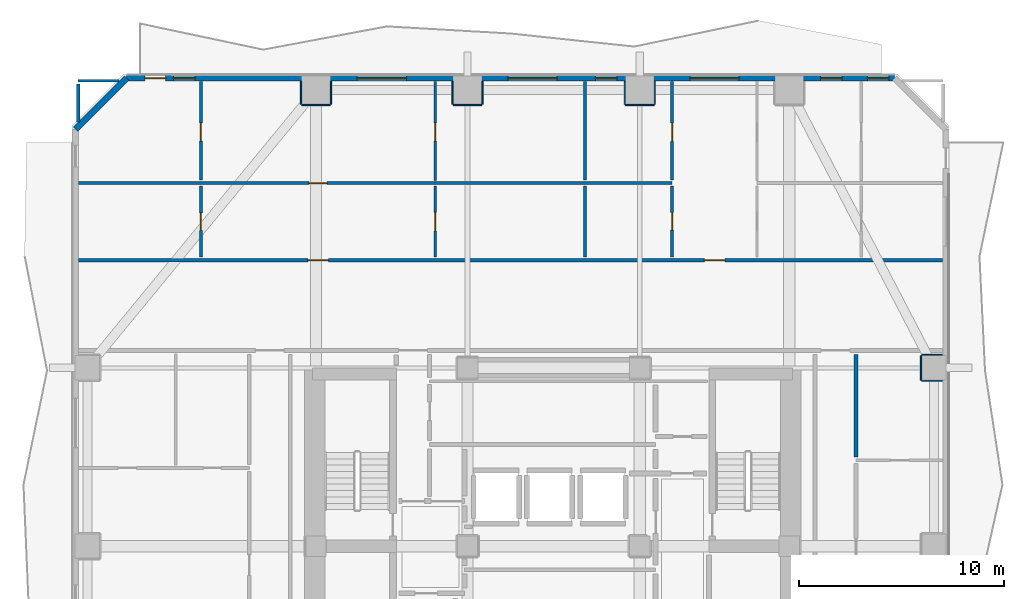
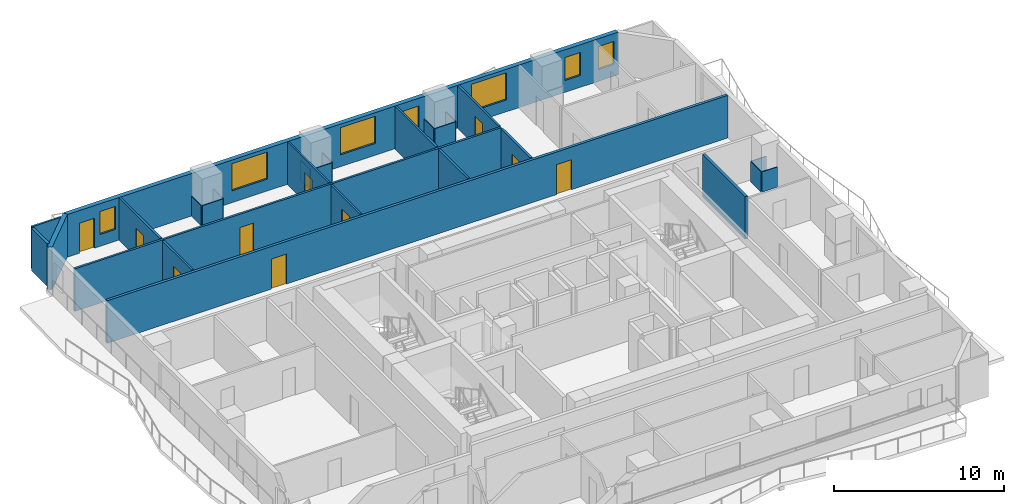
# One storey, part 6 of 12: 27 walls, 10 doors, 7 windows, 17 openings.
"""IFC4 building model written with IfcOpenShell, lengths in metres."""

import ifcopenshell
import ifcopenshell.guid

model = None  # the IFC model being written
_history = None  # IfcOwnerHistory: only IFC2X3 demands one
_inside = {}  # id of a spatial element -> (the spatial element, [elements in it])
_under = {}  # id of a project, library or spatial element -> (it, [spatial elements below it])
_declared = {}  # id of a project -> (the project, [libraries it declares])
_typed = {}  # id of a type object -> (the type object, [elements of that type])
_made_of = {}  # id of a material, layer set ... -> (it, [elements and type objects made of it])


def new_model(schema):
    """Start an empty IFC model of exactly this schema.

    Asked for "IFC4X3", IfcOpenShell would pick the latest addendum, in which some entities
    have other attributes; the version numbers below select the first issue.
    IFC2X3 requires an IfcOwnerHistory on every rooted entity: one is made here for all.
    """
    global model, _history
    if schema == "IFC4X3":
        model = ifcopenshell.file(schema_version=(4, 3, 0, 0))
    else:
        model = ifcopenshell.file(schema=schema)
    _inside.clear()
    _under.clear()
    _declared.clear()
    _typed.clear()
    _made_of.clear()
    _history = None
    if model.schema == "IFC2X3":
        org = make("IfcOrganization", Name="unknown")
        user = make(
            "IfcPersonAndOrganization",
            ThePerson=make("IfcPerson", FamilyName="unknown"),
            TheOrganization=org,
        )
        app = make(
            "IfcApplication",
            ApplicationDeveloper=org,
            Version="unknown",
            ApplicationFullName="unknown",
            ApplicationIdentifier="unknown",
        )
        _history = make(
            "IfcOwnerHistory",
            OwningUser=user,
            OwningApplication=app,
            ChangeAction="ADDED",
            CreationDate=0,
        )
    return model


def make(cls, **values):
    """One entity of the class cls with the attributes given. An attribute that is None is left unset."""
    return model.create_entity(
        cls, **{name: value for name, value in values.items() if value is not None}
    )


def rooted(cls, **values):
    """An entity with a GlobalId (a new one), such as an element, a storey or a relation."""
    return make(cls, GlobalId=ifcopenshell.guid.new(), OwnerHistory=_history, **values)


def si_unit(unit_type, name, prefix=None):
    """IfcSIUnit, for example si_unit("LENGTHUNIT", "METRE", prefix="MILLI")."""
    return make("IfcSIUnit", UnitType=unit_type, Prefix=prefix, Name=name)


def assignment(units):
    """IfcUnitAssignment: the units of a project."""
    return None if units is None else make("IfcUnitAssignment", Units=units)


def point(xyz):
    """IfcCartesianPoint."""
    return None if xyz is None else make("IfcCartesianPoint", Coordinates=xyz)


def direction(xyz):
    """IfcDirection."""
    return None if xyz is None else make("IfcDirection", DirectionRatios=xyz)


def frame(location, z_axis=None, x_axis=None):
    """IfcAxis2Placement3D, a coordinate frame: its origin and axes. An axis left out is left unset."""
    return make(
        "IfcAxis2Placement3D",
        Location=point(location),
        Axis=direction(z_axis),
        RefDirection=direction(x_axis),
    )


def frame_2d(location, x_axis=None):
    """IfcAxis2Placement2D, a coordinate frame in the plane: its origin and x axis."""
    return make(
        "IfcAxis2Placement2D", Location=point(location), RefDirection=direction(x_axis)
    )


def origin():
    """The frame at (0, 0, 0) with its axes left unset."""
    return frame((0.0, 0.0, 0.0))


def place(relative_to, where):
    """IfcLocalPlacement: puts the frame where relative to a parent placement (None: the world)."""
    return make(
        "IfcLocalPlacement", PlacementRelTo=relative_to, RelativePlacement=where
    )


def context(
    kind, dimensions, precision=None, world=None, true_north=None, identifier=None
):
    """IfcGeometricRepresentationContext, for example the 3D "Model" context."""
    return make(
        "IfcGeometricRepresentationContext",
        ContextIdentifier=identifier,
        ContextType=kind,
        CoordinateSpaceDimension=dimensions,
        Precision=precision,
        WorldCoordinateSystem=world,
        TrueNorth=true_north,
    )


def subcontext(parent, identifier, kind, view, scale=None):
    """IfcGeometricRepresentationSubContext, for example "Body" below "Model"."""
    return make(
        "IfcGeometricRepresentationSubContext",
        ContextIdentifier=identifier,
        ContextType=kind,
        ParentContext=parent,
        TargetScale=scale,
        TargetView=view,
    )


def project(units=None, contexts=None):
    """IfcProject with its units and contexts."""
    return rooted(
        "IfcProject",
        Name="project",
        RepresentationContexts=contexts,
        UnitsInContext=assignment(units),
    )


def spatial(cls, under=None, at=None, **own):
    """A site, building, storey or space (cls), placed at a placement, below another one or the project."""
    s = rooted(cls, ObjectPlacement=at, **own)
    if under is not None:
        _under.setdefault(under.id(), (under, []))[1].append(s)
    return s


def profile(cls, at=None, kind="AREA", **sizes):
    """A parametric profile (cls). Its sizes go by their IFC names, for example OverallWidth=200.0."""
    return make(cls, ProfileType=kind, Position=at, **sizes)


def rectangle(**sizes):
    """IfcRectangleProfileDef."""
    return profile("IfcRectangleProfileDef", **sizes)


def extrude(swept, where, along, depth):
    """IfcExtrudedAreaSolid: the profile swept, set in the frame where, extruded along a direction by depth."""
    return make(
        "IfcExtrudedAreaSolid",
        SweptArea=swept,
        Position=where,
        ExtrudedDirection=direction(along),
        Depth=depth,
    )


def shape(context_of_items, identifier, shape_type, items):
    """IfcShapeRepresentation: the items that make up one representation, for example the "Body"."""
    return make(
        "IfcShapeRepresentation",
        ContextOfItems=context_of_items,
        RepresentationIdentifier=identifier,
        RepresentationType=shape_type,
        Items=items,
    )


def material(Name=None, Category=None):
    """IfcMaterial."""
    return make("IfcMaterial", Name=Name, Category=Category)


def layer(
    of_material, thickness, ventilated=None, Name=None, Category=None, Priority=None
):
    """IfcMaterialLayer: one layer of a wall or slab, of a material (None: an air gap)."""
    return make(
        "IfcMaterialLayer",
        Material=of_material,
        LayerThickness=thickness,
        IsVentilated=ventilated,
        Name=Name,
        Category=Category,
        Priority=Priority,
    )


def layer_set(layers, Name=None):
    """IfcMaterialLayerSet."""
    return make("IfcMaterialLayerSet", MaterialLayers=layers, LayerSetName=Name)


def made_of(thing, what):
    """Note that an element or type object is made of a material, layer set ...; save() writes the relation."""
    if what is not None:
        _made_of.setdefault(what.id(), (what, []))[1].append(thing)
    return thing


def type_object(cls, material=None, **own):
    """A type object (cls), such as IfcWallType, which elements share."""
    return made_of(rooted(cls, **own), material)


def element(
    cls,
    number,
    at=None,
    inside=None,
    cuts=None,
    type_object=None,
    material=None,
    context=None,
    identifier="Body",
    shape_type=None,
    held_by="IfcProductDefinitionShape",
    body=None,
    shapes=None,
    **own,
):
    """One element of the class cls, such as IfcWall. Its Tag is "e" and its number.

    at: its placement. inside: the storey or other place that contains it. cuts: it is an
    opening in that element (IfcRelVoidsElement). A single representation is given by context,
    identifier, shape_type and body (its items); several are given by shapes. held_by: the class
    of the entity that holds the representations. save() writes the other relations.
    """
    e = rooted(cls, Tag="e%d" % number, ObjectPlacement=at, **own)
    if body is not None:
        shapes = [shape(context, identifier, shape_type, body)]
    if shapes is not None:
        e.Representation = make(held_by, Representations=shapes)
    if inside is not None:
        _inside.setdefault(inside.id(), (inside, []))[1].append(e)
    if cuts is not None:
        rooted(
            "IfcRelVoidsElement", RelatingBuildingElement=cuts, RelatedOpeningElement=e
        )
    if type_object is not None:
        _typed.setdefault(type_object.id(), (type_object, []))[1].append(e)
    return made_of(e, material)


def fill(opening, filler):
    """IfcRelFillsElement: the door or window that sits in an opening."""
    return rooted(
        "IfcRelFillsElement",
        RelatingOpeningElement=opening,
        RelatedBuildingElement=filler,
    )


def aggregate(whole, parts):
    """IfcRelAggregates: a whole, such as a stair, and the parts it consists of."""
    return rooted("IfcRelAggregates", RelatingObject=whole, RelatedObjects=parts)


def save(model, path):
    """Write the relations noted so far, then the file.

    IfcRelAggregates (storeys below a building ...), IfcRelContainedInSpatialStructure (elements
    in a storey), IfcRelDefinesByType, IfcRelAssociatesMaterial and IfcRelDeclares: one each for
    every whole, place, type object, material and project.
    """
    for whole, parts in _under.values():
        aggregate(whole, parts)
    for where, things in _inside.values():
        rooted(
            "IfcRelContainedInSpatialStructure",
            RelatedElements=things,
            RelatingStructure=where,
        )
    for kind, things in _typed.values():
        rooted("IfcRelDefinesByType", RelatedObjects=things, RelatingType=kind)
    for what, things in _made_of.values():
        rooted("IfcRelAssociatesMaterial", RelatedObjects=things, RelatingMaterial=what)
    for by, libraries in _declared.values():
        rooted("IfcRelDeclares", RelatingContext=by, RelatedDefinitions=libraries)
    model.write(path)


model = new_model("IFC4")

# Units and contexts
model_context = context("Model", 3, precision=1e-05, world=origin(), true_north=direction((0.0, 1.0)))
body_context = subcontext(model_context, "Body", "Model", "MODEL_VIEW")
ifc_project = project(units=[si_unit("LENGTHUNIT", "METRE"), si_unit("AREAUNIT", "SQUARE_METRE"), si_unit("VOLUMEUNIT", "CUBIC_METRE"), si_unit("PLANEANGLEUNIT", "RADIAN"), si_unit("MASSUNIT", "GRAM", prefix="KILO")], contexts=[model_context])

# Site, building, storey
site_placement = place(None, origin())
site = spatial("IfcSite", under=ifc_project, at=site_placement, CompositionType="ELEMENT")
building_placement = place(site_placement, origin())
building = spatial("IfcBuilding", under=site, at=building_placement, Name="Solanera Arch Residences", CompositionType="ELEMENT")
storey_placement = place(building_placement, frame((0.0, 0.0, 96.1201171875)))
storey = spatial("IfcBuildingStorey", under=building, at=storey_placement, Name="L27", CompositionType="ELEMENT", Elevation=96.1201171875)

# Walls
ifc_material_1 = material(Name="Fire-Rated Gypsum Stud Partition", Category="gypsum")
ifc_layer_1 = layer(ifc_material_1, 0.06005859375)
ifc_layer_set_1 = layer_set([ifc_layer_1], Name="Fire-Rated Gypsum Stud Partition")
wall_type_1 = type_object("IfcWallType", Name="Column Acoustic Furring Wall 60", PredefinedType="PARTITIONING", material=ifc_layer_set_1)
wall_1_placement = place(storey_placement, frame((12.699951171875, 52.218017578125, 0.0), z_axis=(0.0, 0.0, 1.0), x_axis=(1.0, 0.0, 0.0)))
element("IfcWall", 1, at=wall_1_placement, inside=storey, type_object=wall_type_1, Name="L27 Column Furring 10S", PredefinedType="PARTITIONING", context=body_context, shape_type="SweptSolid", body=[
    extrude(rectangle(XDim=1.400146484375, YDim=0.06005859375, at=frame_2d((0.7001953125, 0.0))), origin(), (0.0, 0.0, 1.0), 1.449951171875),
])
for number, where, z_axis, x_axis, name in (
    (2, (12.66796875, 52.25, 0.0), (0.0, 0.0, 1.0), (0.0, 1.0, 0.0), "L27 Column Furring 10W"),
    (3, (14.132080078125, 52.25, 0.0), (0.0, 0.0, 1.0), (0.0, 1.0, 0.0), "L27 Column Furring 10E"),
):
    element("IfcWall", number, at=place(storey_placement, frame(where, z_axis=z_axis, x_axis=x_axis)), inside=storey, type_object=wall_type_1, Name=name, PredefinedType="PARTITIONING", context=body_context, shape_type="SweptSolid", body=[
        extrude(rectangle(XDim=1.1201171875, YDim=0.06005859375, at=frame_2d((0.56005859375, 0.0))), origin(), (0.0, 0.0, 1.0), 1.449951171875),
    ])
wall_2_placement = place(storey_placement, frame((20.10009765625, 52.218017578125, 0.0), z_axis=(0.0, 0.0, 1.0), x_axis=(1.0, 0.0, 0.0)))
element("IfcWall", 4, at=wall_2_placement, inside=storey, type_object=wall_type_1, Name="L27 Column Furring 12S", PredefinedType="PARTITIONING", context=body_context, shape_type="SweptSolid", body=[
    extrude(rectangle(XDim=1.39990234375, YDim=0.06005859375, at=frame_2d((0.699951171875, 0.0))), origin(), (0.0, 0.0, 1.0), 1.449951171875),
])
for number, where, z_axis, x_axis, name in (
    (5, (20.068115234375, 52.25, 0.0), (0.0, 0.0, 1.0), (0.0, 1.0, 0.0), "L27 Column Furring 12W"),
    (6, (21.531982421875, 52.25, 0.0), (0.0, 0.0, 1.0), (0.0, 1.0, 0.0), "L27 Column Furring 12E"),
):
    element("IfcWall", number, at=place(storey_placement, frame(where, z_axis=z_axis, x_axis=x_axis)), inside=storey, type_object=wall_type_1, Name=name, PredefinedType="PARTITIONING", context=body_context, shape_type="SweptSolid", body=[
        extrude(rectangle(XDim=1.1201171875, YDim=0.06005859375, at=frame_2d((0.56005859375, 0.0))), origin(), (0.0, 0.0, 1.0), 1.449951171875),
    ])
wall_3_placement = place(storey_placement, frame((28.5, 52.218017578125, 0.0), z_axis=(0.0, 0.0, 1.0), x_axis=(1.0, 0.0, 0.0)))
element("IfcWall", 7, at=wall_3_placement, inside=storey, type_object=wall_type_1, Name="L27 Column Furring 14S", PredefinedType="PARTITIONING", context=body_context, shape_type="SweptSolid", body=[
    extrude(rectangle(XDim=1.39990234375, YDim=0.06005859375, at=frame_2d((0.699951171875, 0.0))), origin(), (0.0, 0.0, 1.0), 1.449951171875),
])
for number, where, z_axis, x_axis, name in (
    (8, (28.468017578125, 52.25, 0.0), (0.0, 0.0, 1.0), (0.0, 1.0, 0.0), "L27 Column Furring 14W"),
    (9, (29.931884765625, 52.25, 0.0), (0.0, 0.0, 1.0), (0.0, 1.0, 0.0), "L27 Column Furring 14E"),
):
    element("IfcWall", number, at=place(storey_placement, frame(where, z_axis=z_axis, x_axis=x_axis)), inside=storey, type_object=wall_type_1, Name=name, PredefinedType="PARTITIONING", context=body_context, shape_type="SweptSolid", body=[
        extrude(rectangle(XDim=1.1201171875, YDim=0.06005859375, at=frame_2d((0.56005859375, 0.0))), origin(), (0.0, 0.0, 1.0), 1.449951171875),
    ])
for number, where, z_axis, x_axis, name in (
    (10, (42.949951171875, 38.76806640625, 0.0), (0.0, 0.0, 1.0), (1.0, 0.0, 0.0), "L27 Column Furring 22S"),
    (11, (42.949951171875, 40.031982421875, 0.0), (0.0, 0.0, 1.0), (1.0, 0.0, 0.0), "L27 Column Furring 22N"),
):
    element("IfcWall", number, at=place(storey_placement, frame(where, z_axis=z_axis, x_axis=x_axis)), inside=storey, type_object=wall_type_1, Name=name, PredefinedType="PARTITIONING", context=body_context, shape_type="SweptSolid", body=[
        extrude(rectangle(XDim=1.02001953125, YDim=0.06005859375, at=frame_2d((0.510009765625, 0.0))), origin(), (0.0, 0.0, 1.0), 1.449951171875),
    ])
wall_4_placement = place(storey_placement, frame((42.91796875, 38.800048828125, 0.0), z_axis=(0.0, 0.0, 1.0), x_axis=(0.0, 1.0, 0.0)))
element("IfcWall", 12, at=wall_4_placement, inside=storey, type_object=wall_type_1, Name="L27 Column Furring 22W", PredefinedType="PARTITIONING", context=body_context, shape_type="SweptSolid", body=[
    extrude(rectangle(XDim=1.199951171875, YDim=0.06005859375, at=frame_2d((0.60009765625, 0.0))), origin(), (0.0, 0.0, 1.0), 1.449951171875),
])

# Wall, openings, doors
ifc_material_2 = material(Name="Autoclaved Aerated Concrete Blockwork", Category="masonry")
ifc_layer_2 = layer(ifc_material_2, 0.179931640625)
ifc_layer_set_2 = layer_set([ifc_layer_2], Name="Autoclaved Aerated Concrete Blockwork")
wall_type_2 = type_object("IfcWallType", Name="Corridor Fire Partition 180", PredefinedType="PARTITIONING", material=ifc_layer_set_2)
wall_5_placement = place(storey_placement, frame((1.826904296875, 44.64990234375, 0.0), z_axis=(0.0, 0.0, 1.0), x_axis=(1.0, 0.0, 0.0)))
wall_5 = element("IfcWall", 13, at=wall_5_placement, inside=storey, type_object=wall_type_2, Name="L27 Interior Partition H12", PredefinedType="PARTITIONING", context=body_context, shape_type="SweptSolid", body=[
    extrude(rectangle(XDim=42.14599609375, YDim=0.179931640625, at=frame_2d((21.072998046875, 0.0))), origin(), (0.0, 0.0, 1.0), 3.059814453125),
])
opening_1_placement = place(wall_5_placement, frame((11.176025390625, 0.0, 0.0)))
opening_1 = element("IfcOpeningElement", 14, at=opening_1_placement, cuts=wall_5, Name="Opening DI-01", PredefinedType="OPENING", context=body_context, shape_type="SweptSolid", body=[
    extrude(rectangle(XDim=1.0, YDim=2.14990234375, at=frame_2d((0.5, 1.074951171875))), frame((0.0, 0.10009765625, 0.0), z_axis=(0.0, -1.0, 0.0), x_axis=(1.0, 0.0, 0.0)), (0.0, 0.0, 1.0), 0.1999),
])
opening_2_placement = place(wall_5_placement, frame((30.52294921875, 0.0, 0.0)))
opening_2 = element("IfcOpeningElement", 15, at=opening_2_placement, cuts=wall_5, Name="Opening DI-01", PredefinedType="OPENING", context=body_context, shape_type="SweptSolid", body=[
    extrude(rectangle(XDim=1.0, YDim=2.14990234375, at=frame_2d((0.5, 1.074951171875))), frame((0.0, 0.10009765625, 0.0), z_axis=(0.0, -1.0, 0.0), x_axis=(1.0, 0.0, 0.0)), (0.0, 0.0, 1.0), 0.1999),
])
ifc_material_3 = material(Name="Fire-Rated Architectural Hardwood", Category="wood")
door_type_1 = type_object("IfcDoorType", Name="Unit Entrance Fire Door DI-01", OperationType="NOTDEFINED", PredefinedType="DOOR", material=ifc_material_3)
door_1_placement = place(opening_1_placement, origin())
door_1 = element("IfcDoor", 16, at=door_1_placement, inside=storey, type_object=door_type_1, Name="DR-L27-IN-029", OperationType="SINGLE_SWING_RIGHT", OverallHeight=2.14990234375, OverallWidth=1.0, PredefinedType="DOOR", context=body_context, shape_type="SweptSolid", body=[
    extrude(rectangle(XDim=1.0, YDim=2.14990234375, at=frame_2d((0.5, 1.074951171875))), frame((0.0, 0.02490234375, 0.0), z_axis=(0.0, -1.0, 0.0), x_axis=(1.0, 0.0, 0.0)), (0.0, 0.0, 1.0), 0.050048828125),
])
fill(opening_1, door_1)
door_2_placement = place(opening_2_placement, origin())
door_2 = element("IfcDoor", 17, at=door_2_placement, inside=storey, type_object=door_type_1, Name="DR-L27-IN-035", OperationType="SINGLE_SWING_RIGHT", OverallHeight=2.14990234375, OverallWidth=1.0, PredefinedType="DOOR", context=body_context, shape_type="SweptSolid", body=[
    extrude(rectangle(XDim=1.0, YDim=2.14990234375, at=frame_2d((0.5, 1.074951171875))), frame((0.0, 0.02490234375, 0.0), z_axis=(0.0, -1.0, 0.0), x_axis=(1.0, 0.0, 0.0)), (0.0, 0.0, 1.0), 0.050048828125),
])
fill(opening_2, door_2)

# Walls
wall_6_placement = place(storey_placement, frame((1.800048828125, 51.39892578125, 0.0), z_axis=(0.0, 0.0, 1.0), x_axis=(0.0, 1.0, 0.0)))
element("IfcWall", 18, at=wall_6_placement, inside=storey, type_object=wall_type_2, Name="L27 Interior Partition V7 2", PredefinedType="PARTITIONING", context=body_context, shape_type="SweptSolid", body=[
    extrude(rectangle(XDim=1.843017578125, YDim=0.179931640625, at=frame_2d((0.92138671875, 0.0))), origin(), (0.0, 0.0, 1.0), 3.059814453125),
])
wall_7_placement = place(storey_placement, frame((39.75, 35.050048828125, 0.0), z_axis=(0.0, 0.0, 1.0), x_axis=(0.0, 1.0, 0.0)))
element("IfcWall", 19, at=wall_7_placement, inside=storey, type_object=wall_type_2, Name="L27 Interior Partition V12 3", PredefinedType="PARTITIONING", context=body_context, shape_type="SweptSolid", body=[
    extrude(rectangle(XDim=5.011962890625, YDim=0.179931640625, at=frame_2d((2.505859375, 0.0))), origin(), (0.0, 0.0, 1.0), 3.059814453125),
])
ifc_material_4 = material(Name="Precast Concrete C35/45", Category="concrete")
ifc_layer_3 = layer(ifc_material_4, 0.300048828125)
ifc_layer_set_3 = layer_set([ifc_layer_3], Name="Precast Concrete C35/45")
wall_type_3 = type_object("IfcWallType", Name="Exterior Wall Precast Masonry-Frame 300", PredefinedType="STANDARD", material=ifc_layer_set_3)
wall_8_placement = place(storey_placement, frame((1.6650390625, 51.034912109375, 0.0), z_axis=(0.0, 0.0, 1.0), x_axis=(0.707106781187, 0.707106781187, 0.0)))
element("IfcWall", 20, at=wall_8_placement, inside=storey, type_object=wall_type_3, Name="L27 Tower Exterior Precast Masonry-Frame Wall CH1", PredefinedType="STANDARD", context=body_context, shape_type="SweptSolid", body=[
    extrude(rectangle(XDim=3.53564453125, YDim=0.300048828125, at=frame_2d((1.767822265625, 0.0))), origin(), (0.0, 0.0, 1.0), 3.059814453125),
])

# Wall, openings, door, windows
wall_9_placement = place(storey_placement, frame((4.1650390625, 53.534912109375, 0.0), z_axis=(0.0, 0.0, 1.0), x_axis=(1.0, 0.0, 0.0)))
wall_9 = element("IfcWall", 21, at=wall_9_placement, inside=storey, type_object=wall_type_3, Name="L27 Tower Exterior Precast Masonry-Frame Wall N", PredefinedType="STANDARD", context=body_context, shape_type="SweptSolid", body=[
    extrude(rectangle(XDim=37.469970703125, YDim=0.300048828125, at=frame_2d((18.73486328125, 0.0))), origin(), (0.0, 0.0, 1.0), 3.059814453125),
])
opening_3_placement = place(wall_9_placement, frame((0.90087890625, 0.0, 0.0)))
opening_3 = element("IfcOpeningElement", 22, at=opening_3_placement, cuts=wall_9, Name="Opening DB-01", PredefinedType="OPENING", context=body_context, shape_type="SweptSolid", body=[
    extrude(rectangle(XDim=1.0, YDim=2.14990234375, at=frame_2d((0.5, 1.074951171875))), frame((0.0, 0.159912109375, 0.0), z_axis=(0.0, -1.0, 0.0), x_axis=(1.0, 0.0, 0.0)), (0.0, 0.0, 1.0), 0.32),
])
opening_4_placement = place(wall_9_placement, frame((11.2451171875, 0.0, 0.85009765625)))
opening_4 = element("IfcOpeningElement", 23, at=opening_4_placement, cuts=wall_9, Name="Opening W-05", PredefinedType="OPENING", context=body_context, shape_type="SweptSolid", body=[
    extrude(rectangle(XDim=2.39990234375, YDim=1.949951171875, at=frame_2d((1.199951171875, 0.97509765625))), frame((0.0, 0.159912109375, 0.0), z_axis=(0.0, -1.0, 0.0), x_axis=(1.0, 0.0, 0.0)), (0.0, 0.0, 1.0), 0.32),
])
opening_5_placement = place(wall_9_placement, frame((2.285888671875, 0.0, 0.85009765625)))
opening_5 = element("IfcOpeningElement", 24, at=opening_5_placement, cuts=wall_9, Name="Opening W-07", PredefinedType="OPENING", context=body_context, shape_type="SweptSolid", body=[
    extrude(rectangle(XDim=1.050048828125, YDim=1.64990234375, at=frame_2d((0.52490234375, 0.824951171875))), frame((0.0, 0.159912109375, 0.0), z_axis=(0.0, -1.0, 0.0), x_axis=(1.0, 0.0, 0.0)), (0.0, 0.0, 1.0), 0.32),
])
opening_6_placement = place(wall_9_placement, frame((18.597900390625, 0.0, 0.85009765625)))
opening_6 = element("IfcOpeningElement", 25, at=opening_6_placement, cuts=wall_9, Name="Opening W-05", PredefinedType="OPENING", context=body_context, shape_type="SweptSolid", body=[
    extrude(rectangle(XDim=2.39990234375, YDim=1.949951171875, at=frame_2d((1.199951171875, 0.97509765625))), frame((0.0, 0.159912109375, 0.0), z_axis=(0.0, -1.0, 0.0), x_axis=(1.0, 0.0, 0.0)), (0.0, 0.0, 1.0), 0.32),
])
opening_7_placement = place(wall_9_placement, frame((27.485107421875, 0.0, 0.85009765625)))
opening_7 = element("IfcOpeningElement", 26, at=opening_7_placement, cuts=wall_9, Name="Opening W-05", PredefinedType="OPENING", context=body_context, shape_type="SweptSolid", body=[
    extrude(rectangle(XDim=2.39990234375, YDim=1.949951171875, at=frame_2d((1.199951171875, 0.97509765625))), frame((0.0, 0.159912109375, 0.0), z_axis=(0.0, -1.0, 0.0), x_axis=(1.0, 0.0, 0.0)), (0.0, 0.0, 1.0), 0.32),
])
opening_8_placement = place(wall_9_placement, frame((22.873046875, 0.0, 0.85009765625)))
opening_8 = element("IfcOpeningElement", 27, at=opening_8_placement, cuts=wall_9, Name="Opening W-07", PredefinedType="OPENING", context=body_context, shape_type="SweptSolid", body=[
    extrude(rectangle(XDim=1.050048828125, YDim=1.64990234375, at=frame_2d((0.52490234375, 0.824951171875))), frame((0.0, 0.159912109375, 0.0), z_axis=(0.0, -1.0, 0.0), x_axis=(1.0, 0.0, 0.0)), (0.0, 0.0, 1.0), 0.32),
])
opening_9_placement = place(wall_9_placement, frame((33.863037109375, 0.0, 0.85009765625)))
opening_9 = element("IfcOpeningElement", 28, at=opening_9_placement, cuts=wall_9, Name="Opening W-07", PredefinedType="OPENING", context=body_context, shape_type="SweptSolid", body=[
    extrude(rectangle(XDim=1.050048828125, YDim=1.64990234375, at=frame_2d((0.52490234375, 0.824951171875))), frame((0.0, 0.159912109375, 0.0), z_axis=(0.0, -1.0, 0.0), x_axis=(1.0, 0.0, 0.0)), (0.0, 0.0, 1.0), 0.32),
])
opening_10_placement = place(wall_9_placement, frame((36.135009765625, 0.0, 0.85009765625)))
opening_10 = element("IfcOpeningElement", 29, at=opening_10_placement, cuts=wall_9, Name="Opening W-07", PredefinedType="OPENING", context=body_context, shape_type="SweptSolid", body=[
    extrude(rectangle(XDim=1.050048828125, YDim=1.64990234375, at=frame_2d((0.52490234375, 0.824951171875))), frame((0.0, 0.159912109375, 0.0), z_axis=(0.0, -1.0, 0.0), x_axis=(1.0, 0.0, 0.0)), (0.0, 0.0, 1.0), 0.32),
])
ifc_material_5 = material(Name="Anodised Aluminium Alloy 6063-T6", Category="aluminium")
door_type_2 = type_object("IfcDoorType", Name="Glazed Balcony Swing Door DB-01", OperationType="NOTDEFINED", PredefinedType="DOOR", material=ifc_material_5)
door_3_placement = place(opening_3_placement, origin())
door_3 = element("IfcDoor", 30, at=door_3_placement, inside=storey, type_object=door_type_2, Name="DR-L27-OUT-02", OperationType="SINGLE_SWING_RIGHT", OverallHeight=2.14990234375, OverallWidth=1.0, PredefinedType="DOOR", context=body_context, shape_type="SweptSolid", body=[
    extrude(rectangle(XDim=1.0, YDim=2.14990234375, at=frame_2d((0.5, 1.074951171875))), frame((0.0, 0.02490234375, 0.0), z_axis=(0.0, -1.0, 0.0), x_axis=(1.0, 0.0, 0.0)), (0.0, 0.0, 1.0), 0.050048828125),
])
fill(opening_3, door_3)
ifc_material_6 = material(Name="Double Glazed Low-E Laminated Glass", Category="glass")
window_type_1 = type_object("IfcWindowType", Name="Punched Window W-05", PartitioningType="TRIPLE_PANEL_VERTICAL", PredefinedType="WINDOW", material=ifc_material_6)
window_1_placement = place(opening_4_placement, origin())
window_1 = element("IfcWindow", 31, at=window_1_placement, inside=storey, type_object=window_type_1, Name="L27 2703-LIV Punched Window", OverallHeight=1.949951171875, OverallWidth=2.39990234375, PartitioningType="SINGLE_PANEL", PredefinedType="WINDOW", context=body_context, shape_type="SweptSolid", body=[
    extrude(rectangle(XDim=2.39990234375, YDim=1.949951171875, at=frame_2d((1.199951171875, 0.97509765625))), frame((0.0, 0.030029296875, 0.0), z_axis=(0.0, -1.0, 0.0), x_axis=(1.0, 0.0, 0.0)), (0.0, 0.0, 1.0), 0.06005859375),
])
fill(opening_4, window_1)
window_2_placement = place(opening_6_placement, origin())
window_2 = element("IfcWindow", 32, at=window_2_placement, inside=storey, type_object=window_type_1, Name="L27 2703-BR2 Punched Window", OverallHeight=1.949951171875, OverallWidth=2.39990234375, PartitioningType="SINGLE_PANEL", PredefinedType="WINDOW", context=body_context, shape_type="SweptSolid", body=[
    extrude(rectangle(XDim=2.39990234375, YDim=1.949951171875, at=frame_2d((1.199951171875, 0.97509765625))), frame((0.0, 0.030029296875, 0.0), z_axis=(0.0, -1.0, 0.0), x_axis=(1.0, 0.0, 0.0)), (0.0, 0.0, 1.0), 0.06005859375),
])
fill(opening_6, window_2)
window_3_placement = place(opening_7_placement, origin())
window_3 = element("IfcWindow", 33, at=window_3_placement, inside=storey, type_object=window_type_1, Name="L27 2704-LIV Punched Window", OverallHeight=1.949951171875, OverallWidth=2.39990234375, PartitioningType="SINGLE_PANEL", PredefinedType="WINDOW", context=body_context, shape_type="SweptSolid", body=[
    extrude(rectangle(XDim=2.39990234375, YDim=1.949951171875, at=frame_2d((1.199951171875, 0.97509765625))), frame((0.0, 0.030029296875, 0.0), z_axis=(0.0, -1.0, 0.0), x_axis=(1.0, 0.0, 0.0)), (0.0, 0.0, 1.0), 0.06005859375),
])
fill(opening_7, window_3)
ifc_material_7 = material(Name="Double Glazed Low-E Laminated Glass", Category="glass")
window_type_2 = type_object("IfcWindowType", Name="Punched Window W-07", PartitioningType="SINGLE_PANEL", PredefinedType="WINDOW", material=ifc_material_7)
window_4_placement = place(opening_5_placement, origin())
window_4 = element("IfcWindow", 34, at=window_4_placement, inside=storey, type_object=window_type_2, Name="L27 2703-BR1 Punched Window", OverallHeight=1.64990234375, OverallWidth=1.050048828125, PartitioningType="SINGLE_PANEL", PredefinedType="WINDOW", context=body_context, shape_type="SweptSolid", body=[
    extrude(rectangle(XDim=1.050048828125, YDim=1.64990234375, at=frame_2d((0.52490234375, 0.824951171875))), frame((0.0, 0.030029296875, 0.0), z_axis=(0.0, -1.0, 0.0), x_axis=(1.0, 0.0, 0.0)), (0.0, 0.0, 1.0), 0.06005859375),
])
fill(opening_5, window_4)
window_5_placement = place(opening_8_placement, origin())
window_5 = element("IfcWindow", 35, at=window_5_placement, inside=storey, type_object=window_type_2, Name="L27 2704-BR1 Punched Window", OverallHeight=1.64990234375, OverallWidth=1.050048828125, PartitioningType="SINGLE_PANEL", PredefinedType="WINDOW", context=body_context, shape_type="SweptSolid", body=[
    extrude(rectangle(XDim=1.050048828125, YDim=1.64990234375, at=frame_2d((0.52490234375, 0.824951171875))), frame((0.0, 0.030029296875, 0.0), z_axis=(0.0, -1.0, 0.0), x_axis=(1.0, 0.0, 0.0)), (0.0, 0.0, 1.0), 0.06005859375),
])
fill(opening_8, window_5)
window_6_placement = place(opening_9_placement, origin())
window_6 = element("IfcWindow", 36, at=window_6_placement, inside=storey, type_object=window_type_2, Name="L27 2704-BR2 Punched Window", OverallHeight=1.64990234375, OverallWidth=1.050048828125, PartitioningType="SINGLE_PANEL", PredefinedType="WINDOW", context=body_context, shape_type="SweptSolid", body=[
    extrude(rectangle(XDim=1.050048828125, YDim=1.64990234375, at=frame_2d((0.52490234375, 0.824951171875))), frame((0.0, 0.030029296875, 0.0), z_axis=(0.0, -1.0, 0.0), x_axis=(1.0, 0.0, 0.0)), (0.0, 0.0, 1.0), 0.06005859375),
])
fill(opening_9, window_6)
window_7_placement = place(opening_10_placement, origin())
window_7 = element("IfcWindow", 37, at=window_7_placement, inside=storey, type_object=window_type_2, Name="L27 2704-BR3 Punched Window", OverallHeight=1.64990234375, OverallWidth=1.050048828125, PartitioningType="SINGLE_PANEL", PredefinedType="WINDOW", context=body_context, shape_type="SweptSolid", body=[
    extrude(rectangle(XDim=1.050048828125, YDim=1.64990234375, at=frame_2d((0.52490234375, 0.824951171875))), frame((0.0, 0.030029296875, 0.0), z_axis=(0.0, -1.0, 0.0), x_axis=(1.0, 0.0, 0.0)), (0.0, 0.0, 1.0), 0.06005859375),
])
fill(opening_10, window_7)

# Wall
ifc_material_8 = material(Name="Fire-Rated Gypsum Stud Partition", Category="gypsum")
ifc_layer_4 = layer(ifc_material_8, 0.1201171875)
ifc_layer_set_4 = layer_set([ifc_layer_4], Name="Fire-Rated Gypsum Stud Partition")
wall_type_4 = type_object("IfcWallType", Name="Unit Drywall Partition 120", PredefinedType="PARTITIONING", material=ifc_layer_set_4)
wall_10_placement = place(storey_placement, frame((1.800048828125, 53.39990234375, 0.0), z_axis=(0.0, 0.0, 1.0), x_axis=(1.0, 0.0, 0.0)))
element("IfcWall", 38, at=wall_10_placement, inside=storey, type_object=wall_type_4, Name="L27 Interior Partition H24 1", PredefinedType="PARTITIONING", context=body_context, shape_type="SweptSolid", body=[
    extrude(rectangle(XDim=2.0009765625, YDim=0.1201171875, at=frame_2d((1.00048828125, 0.0))), origin(), (0.0, 0.0, 1.0), 3.059814453125),
])

# Wall, opening, door
wall_11_placement = place(storey_placement, frame((19.219970703125, 44.80810546875, 0.0), z_axis=(0.0, 0.0, 1.0), x_axis=(0.0, 1.0, 0.0)))
wall_11 = element("IfcWall", 39, at=wall_11_placement, inside=storey, type_object=wall_type_4, Name="L27 Interior Partition V23 1", PredefinedType="PARTITIONING", context=body_context, shape_type="SweptSolid", body=[
    extrude(rectangle(XDim=3.466796875, YDim=0.1201171875, at=frame_2d((1.7333984375, 0.0))), origin(), (0.0, 0.0, 1.0), 3.059814453125),
])
opening_11_placement = place(wall_11_placement, frame((1.27392578125, 0.0, 0.0)))
opening_11 = element("IfcOpeningElement", 40, at=opening_11_placement, cuts=wall_11, Name="Opening DI-02", PredefinedType="OPENING", context=body_context, shape_type="SweptSolid", body=[
    extrude(rectangle(XDim=0.89990234375, YDim=2.10009765625, at=frame_2d((0.449951171875, 1.050048828125))), frame((0.0, 0.070068359375, 0.0), z_axis=(0.0, -1.0, 0.0), x_axis=(1.0, 0.0, 0.0)), (0.0, 0.0, 1.0), 0.1401),
])
ifc_material_9 = material(Name="Fire-Rated Architectural Hardwood", Category="wood")
door_type_3 = type_object("IfcDoorType", Name="Suite Room Swing Door DI-02", OperationType="NOTDEFINED", PredefinedType="DOOR", material=ifc_material_9)
door_4_placement = place(opening_11_placement, origin())
door_4 = element("IfcDoor", 41, at=door_4_placement, inside=storey, type_object=door_type_3, Name="DR-L27-IN-033", OperationType="SINGLE_SWING_RIGHT", OverallHeight=2.10009765625, OverallWidth=0.89990234375, PredefinedType="DOOR", context=body_context, shape_type="SweptSolid", body=[
    extrude(rectangle(XDim=0.89990234375, YDim=2.10009765625, at=frame_2d((0.449951171875, 1.050048828125))), frame((0.0, 0.02490234375, 0.0), z_axis=(0.0, -1.0, 0.0), x_axis=(1.0, 0.0, 0.0)), (0.0, 0.0, 1.0), 0.050048828125),
])
fill(opening_11, door_4)

wall_12_placement = place(storey_placement, frame((19.219970703125, 48.551025390625, 0.0), z_axis=(0.0, 0.0, 1.0), x_axis=(0.0, 1.0, 0.0)))
wall_12 = element("IfcWall", 42, at=wall_12_placement, inside=storey, type_object=wall_type_4, Name="L27 Interior Partition V23 2", PredefinedType="PARTITIONING", context=body_context, shape_type="SweptSolid", body=[
    extrude(rectangle(XDim=4.822021484375, YDim=0.1201171875, at=frame_2d((2.4111328125, 0.0))), origin(), (0.0, 0.0, 1.0), 3.059814453125),
])
opening_12_placement = place(wall_12_placement, frame((1.905029296875, 0.0, 0.0)))
opening_12 = element("IfcOpeningElement", 43, at=opening_12_placement, cuts=wall_12, Name="Opening DI-03", PredefinedType="OPENING", context=body_context, shape_type="SweptSolid", body=[
    extrude(rectangle(XDim=0.89990234375, YDim=2.10009765625, at=frame_2d((0.449951171875, 1.050048828125))), frame((0.0, 0.070068359375, 0.0), z_axis=(0.0, -1.0, 0.0), x_axis=(1.0, 0.0, 0.0)), (0.0, 0.0, 1.0), 0.1401),
])
ifc_material_10 = material(Name="Fire-Rated Architectural Hardwood", Category="wood")
door_type_4 = type_object("IfcDoorType", Name="Bedroom Swing Door DI-03", OperationType="NOTDEFINED", PredefinedType="DOOR", material=ifc_material_10)
door_5_placement = place(opening_12_placement, origin())
door_5 = element("IfcDoor", 44, at=door_5_placement, inside=storey, type_object=door_type_4, Name="DR-L27-IN-034", OperationType="SINGLE_SWING_LEFT", OverallHeight=2.10009765625, OverallWidth=0.89990234375, PredefinedType="DOOR", context=body_context, shape_type="SweptSolid", body=[
    extrude(rectangle(XDim=0.89990234375, YDim=2.10009765625, at=frame_2d((0.449951171875, 1.050048828125))), frame((0.0, 0.02490234375, 0.0), z_axis=(0.0, -1.0, 0.0), x_axis=(1.0, 0.0, 0.0)), (0.0, 0.0, 1.0), 0.050048828125),
])
fill(opening_12, door_5)

ifc_material_11 = material(Name="Autoclaved Aerated Concrete Blockwork", Category="masonry")
ifc_layer_5 = layer(ifc_material_11, 0.139892578125)
ifc_layer_set_5 = layer_set([ifc_layer_5], Name="Autoclaved Aerated Concrete Blockwork")
wall_type_5 = type_object("IfcWallType", Name="Wet-Room Partition 140", PredefinedType="PARTITIONING", material=ifc_layer_set_5)
wall_13_placement = place(storey_placement, frame((1.826904296875, 48.4130859375, 0.0), z_axis=(0.0, 0.0, 1.0), x_axis=(1.0, 0.0, 0.0)))
wall_13 = element("IfcWall", 45, at=wall_13_placement, inside=storey, type_object=wall_type_5, Name="L27 Interior Partition H18", PredefinedType="PARTITIONING", context=body_context, shape_type="SweptSolid", body=[
    extrude(rectangle(XDim=28.953125, YDim=0.139892578125, at=frame_2d((14.4765625, 0.0))), origin(), (0.0, 0.0, 1.0), 3.059814453125),
])
opening_13_placement = place(wall_13_placement, frame((11.22607421875, 0.0, 0.0)))
opening_13 = element("IfcOpeningElement", 46, at=opening_13_placement, cuts=wall_13, Name="Opening DI-02", PredefinedType="OPENING", context=body_context, shape_type="SweptSolid", body=[
    extrude(rectangle(XDim=0.89990234375, YDim=2.10009765625, at=frame_2d((0.449951171875, 1.050048828125))), frame((0.0, 0.079833984375, 0.0), z_axis=(0.0, -1.0, 0.0), x_axis=(1.0, 0.0, 0.0)), (0.0, 0.0, 1.0), 0.1599),
])
door_6_placement = place(opening_13_placement, origin())
door_6 = element("IfcDoor", 47, at=door_6_placement, inside=storey, type_object=door_type_3, Name="DR-L27-IN-030", OperationType="SINGLE_SWING_LEFT", OverallHeight=2.10009765625, OverallWidth=0.89990234375, PredefinedType="DOOR", context=body_context, shape_type="SweptSolid", body=[
    extrude(rectangle(XDim=0.89990234375, YDim=2.10009765625, at=frame_2d((0.449951171875, 1.050048828125))), frame((0.0, 0.02490234375, 0.0), z_axis=(0.0, -1.0, 0.0), x_axis=(1.0, 0.0, 0.0)), (0.0, 0.0, 1.0), 0.050048828125),
])
fill(opening_13, door_6)

wall_14_placement = place(storey_placement, frame((7.785888671875, 44.818115234375, 0.0), z_axis=(0.0, 0.0, 1.0), x_axis=(0.0, 1.0, 0.0)))
wall_14 = element("IfcWall", 48, at=wall_14_placement, inside=storey, type_object=wall_type_5, Name="L27 Interior Partition V16 1", PredefinedType="PARTITIONING", context=body_context, shape_type="SweptSolid", body=[
    extrude(rectangle(XDim=3.44677734375, YDim=0.139892578125, at=frame_2d((1.723388671875, 0.0))), origin(), (0.0, 0.0, 1.0), 3.059814453125),
])
opening_14_placement = place(wall_14_placement, frame((1.283935546875, 0.0, 0.0)))
opening_14 = element("IfcOpeningElement", 49, at=opening_14_placement, cuts=wall_14, Name="Opening DI-05", PredefinedType="OPENING", context=body_context, shape_type="SweptSolid", body=[
    extrude(rectangle(XDim=0.860107421875, YDim=2.02001953125, at=frame_2d((0.43017578125, 1.010009765625))), frame((0.0, 0.079833984375, 0.0), z_axis=(0.0, -1.0, 0.0), x_axis=(1.0, 0.0, 0.0)), (0.0, 0.0, 1.0), 0.1599),
])
ifc_material_12 = material(Name="Fire-Rated Architectural Hardwood", Category="wood")
door_type_5 = type_object("IfcDoorType", Name="Bathroom Swing Door DI-05", OperationType="NOTDEFINED", PredefinedType="DOOR", material=ifc_material_12)
door_7_placement = place(opening_14_placement, origin())
door_7 = element("IfcDoor", 50, at=door_7_placement, inside=storey, type_object=door_type_5, Name="DR-L27-IN-031", OperationType="SINGLE_SWING_RIGHT", OverallHeight=2.02001953125, OverallWidth=0.860107421875, PredefinedType="DOOR", context=body_context, shape_type="SweptSolid", body=[
    extrude(rectangle(XDim=0.860107421875, YDim=2.02001953125, at=frame_2d((0.43017578125, 1.010009765625))), frame((0.0, 0.02490234375, 0.0), z_axis=(0.0, -1.0, 0.0), x_axis=(1.0, 0.0, 0.0)), (0.0, 0.0, 1.0), 0.050048828125),
])
fill(opening_14, door_7)

wall_15_placement = place(storey_placement, frame((7.785888671875, 48.56103515625, 0.0), z_axis=(0.0, 0.0, 1.0), x_axis=(0.0, 1.0, 0.0)))
wall_15 = element("IfcWall", 51, at=wall_15_placement, inside=storey, type_object=wall_type_5, Name="L27 Interior Partition V16 2", PredefinedType="PARTITIONING", context=body_context, shape_type="SweptSolid", body=[
    extrude(rectangle(XDim=4.81201171875, YDim=0.139892578125, at=frame_2d((2.406005859375, 0.0))), origin(), (0.0, 0.0, 1.0), 3.059814453125),
])
opening_15_placement = place(wall_15_placement, frame((1.89599609375, 0.0, 0.0)))
opening_15 = element("IfcOpeningElement", 52, at=opening_15_placement, cuts=wall_15, Name="Opening DI-03", PredefinedType="OPENING", context=body_context, shape_type="SweptSolid", body=[
    extrude(rectangle(XDim=0.89990234375, YDim=2.10009765625, at=frame_2d((0.449951171875, 1.050048828125))), frame((0.0, 0.079833984375, 0.0), z_axis=(0.0, -1.0, 0.0), x_axis=(1.0, 0.0, 0.0)), (0.0, 0.0, 1.0), 0.1599),
])
door_8_placement = place(opening_15_placement, origin())
door_8 = element("IfcDoor", 53, at=door_8_placement, inside=storey, type_object=door_type_4, Name="DR-L27-IN-032", OperationType="SINGLE_SWING_LEFT", OverallHeight=2.10009765625, OverallWidth=0.89990234375, PredefinedType="DOOR", context=body_context, shape_type="SweptSolid", body=[
    extrude(rectangle(XDim=0.89990234375, YDim=2.10009765625, at=frame_2d((0.449951171875, 1.050048828125))), frame((0.0, 0.02490234375, 0.0), z_axis=(0.0, -1.0, 0.0), x_axis=(1.0, 0.0, 0.0)), (0.0, 0.0, 1.0), 0.050048828125),
])
fill(opening_15, door_8)

# Walls
wall_16_placement = place(storey_placement, frame((26.52587890625, 44.818115234375, 0.0), z_axis=(0.0, 0.0, 1.0), x_axis=(0.0, 1.0, 0.0)))
element("IfcWall", 54, at=wall_16_placement, inside=storey, type_object=wall_type_5, Name="L27 Interior Partition V18 1", PredefinedType="PARTITIONING", context=body_context, shape_type="SweptSolid", body=[
    extrude(rectangle(XDim=3.44677734375, YDim=0.139892578125, at=frame_2d((1.723388671875, 0.0))), origin(), (0.0, 0.0, 1.0), 3.059814453125),
])
wall_17_placement = place(storey_placement, frame((26.52587890625, 48.56103515625, 0.0), z_axis=(0.0, 0.0, 1.0), x_axis=(0.0, 1.0, 0.0)))
element("IfcWall", 55, at=wall_17_placement, inside=storey, type_object=wall_type_5, Name="L27 Interior Partition V18 2", PredefinedType="PARTITIONING", context=body_context, shape_type="SweptSolid", body=[
    extrude(rectangle(XDim=4.81201171875, YDim=0.139892578125, at=frame_2d((2.406005859375, 0.0))), origin(), (0.0, 0.0, 1.0), 3.059814453125),
])

# Wall, opening, door
wall_18_placement = place(storey_placement, frame((30.780029296875, 44.818115234375, 0.0), z_axis=(0.0, 0.0, 1.0), x_axis=(0.0, 1.0, 0.0)))
wall_18 = element("IfcWall", 56, at=wall_18_placement, inside=storey, type_object=wall_type_5, Name="L27 Interior Partition V20 1", PredefinedType="PARTITIONING", context=body_context, shape_type="SweptSolid", body=[
    extrude(rectangle(XDim=3.44677734375, YDim=0.139892578125, at=frame_2d((1.723388671875, 0.0))), origin(), (0.0, 0.0, 1.0), 3.059814453125),
])
opening_16_placement = place(wall_18_placement, frame((1.2958984375, 0.0, 0.0)))
opening_16 = element("IfcOpeningElement", 57, at=opening_16_placement, cuts=wall_18, Name="Opening DI-05", PredefinedType="OPENING", context=body_context, shape_type="SweptSolid", body=[
    extrude(rectangle(XDim=0.860107421875, YDim=2.02001953125, at=frame_2d((0.43017578125, 1.010009765625))), frame((0.0, 0.079833984375, 0.0), z_axis=(0.0, -1.0, 0.0), x_axis=(1.0, 0.0, 0.0)), (0.0, 0.0, 1.0), 0.1599),
])
door_9_placement = place(opening_16_placement, origin())
door_9 = element("IfcDoor", 58, at=door_9_placement, inside=storey, type_object=door_type_5, Name="DR-L27-IN-036", OperationType="SINGLE_SWING_LEFT", OverallHeight=2.02001953125, OverallWidth=0.860107421875, PredefinedType="DOOR", context=body_context, shape_type="SweptSolid", body=[
    extrude(rectangle(XDim=0.860107421875, YDim=2.02001953125, at=frame_2d((0.43017578125, 1.010009765625))), frame((0.0, 0.02490234375, 0.0), z_axis=(0.0, -1.0, 0.0), x_axis=(1.0, 0.0, 0.0)), (0.0, 0.0, 1.0), 0.050048828125),
])
fill(opening_16, door_9)

wall_19_placement = place(storey_placement, frame((30.780029296875, 48.56103515625, 0.0), z_axis=(0.0, 0.0, 1.0), x_axis=(0.0, 1.0, 0.0)))
wall_19 = element("IfcWall", 59, at=wall_19_placement, inside=storey, type_object=wall_type_5, Name="L27 Interior Partition V20 2", PredefinedType="PARTITIONING", context=body_context, shape_type="SweptSolid", body=[
    extrude(rectangle(XDim=4.81201171875, YDim=0.139892578125, at=frame_2d((2.406005859375, 0.0))), origin(), (0.0, 0.0, 1.0), 3.059814453125),
])
opening_17_placement = place(wall_19_placement, frame((1.883056640625, 0.0, 0.0)))
opening_17 = element("IfcOpeningElement", 60, at=opening_17_placement, cuts=wall_19, Name="Opening DI-03", PredefinedType="OPENING", context=body_context, shape_type="SweptSolid", body=[
    extrude(rectangle(XDim=0.89990234375, YDim=2.10009765625, at=frame_2d((0.449951171875, 1.050048828125))), frame((0.0, 0.079833984375, 0.0), z_axis=(0.0, -1.0, 0.0), x_axis=(1.0, 0.0, 0.0)), (0.0, 0.0, 1.0), 0.1599),
])
door_10_placement = place(opening_17_placement, origin())
door_10 = element("IfcDoor", 61, at=door_10_placement, inside=storey, type_object=door_type_4, Name="DR-L27-IN-037", OperationType="SINGLE_SWING_RIGHT", OverallHeight=2.10009765625, OverallWidth=0.89990234375, PredefinedType="DOOR", context=body_context, shape_type="SweptSolid", body=[
    extrude(rectangle(XDim=0.89990234375, YDim=2.10009765625, at=frame_2d((0.449951171875, 1.050048828125))), frame((0.0, 0.02490234375, 0.0), z_axis=(0.0, -1.0, 0.0), x_axis=(1.0, 0.0, 0.0)), (0.0, 0.0, 1.0), 0.050048828125),
])
fill(opening_17, door_10)

save(model, "model.ifc")
